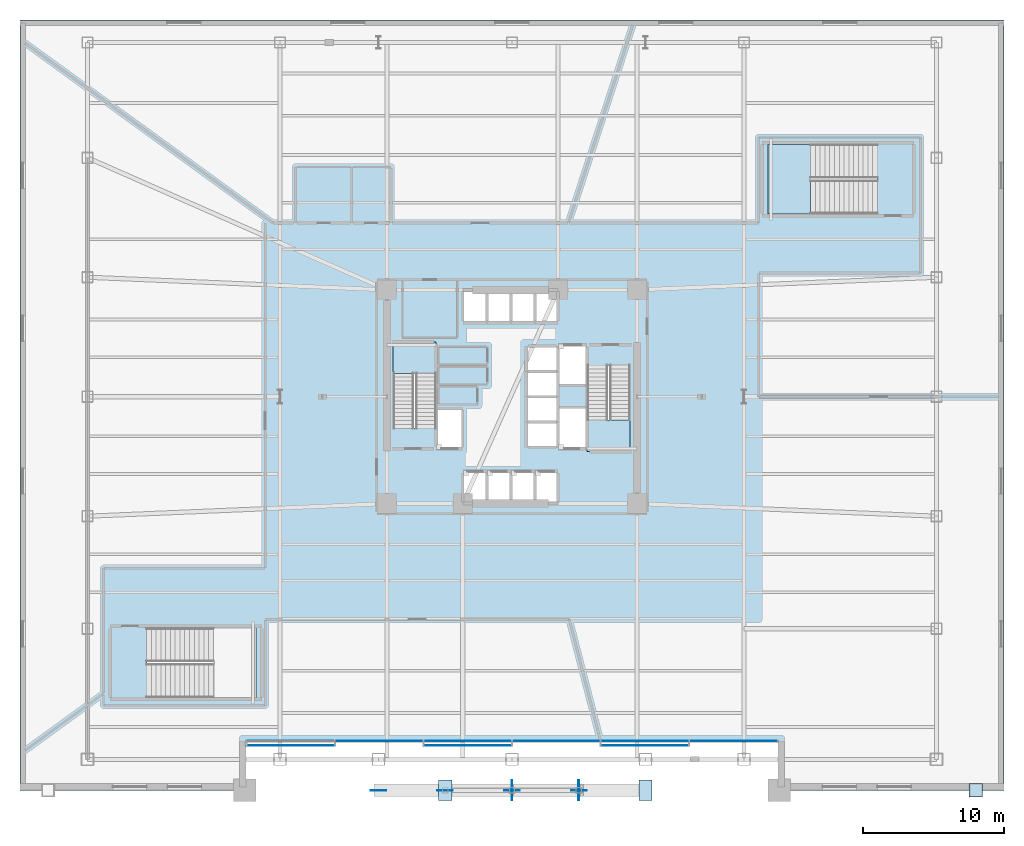
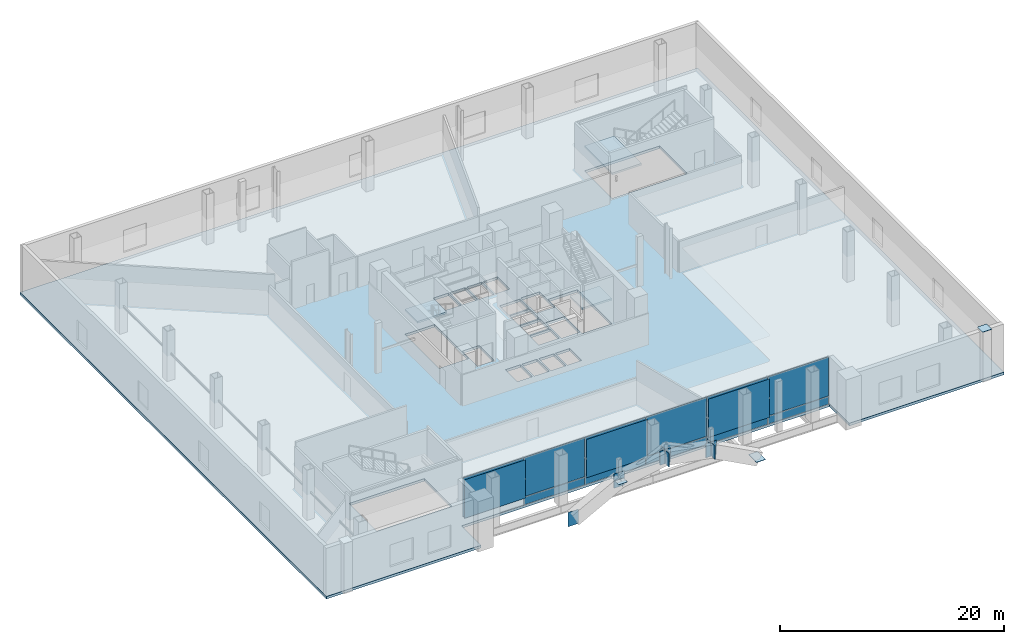
# One storey, part 6 of 19: 23 plates, 4 slabs, 4 elements without a shape of their own.
"""IFC4 building model written with IfcOpenShell, lengths in metres."""

import ifcopenshell
import ifcopenshell.guid

model = None  # the IFC model being written
_history = None  # IfcOwnerHistory: only IFC2X3 demands one
_inside = {}  # id of a spatial element -> (the spatial element, [elements in it])
_under = {}  # id of a project, library or spatial element -> (it, [spatial elements below it])
_declared = {}  # id of a project -> (the project, [libraries it declares])
_typed = {}  # id of a type object -> (the type object, [elements of that type])
_made_of = {}  # id of a material, layer set ... -> (it, [elements and type objects made of it])


def new_model(schema):
    """Start an empty IFC model of exactly this schema.

    Asked for "IFC4X3", IfcOpenShell would pick the latest addendum, in which some entities
    have other attributes; the version numbers below select the first issue.
    IFC2X3 requires an IfcOwnerHistory on every rooted entity: one is made here for all.
    """
    global model, _history
    if schema == "IFC4X3":
        model = ifcopenshell.file(schema_version=(4, 3, 0, 0))
    else:
        model = ifcopenshell.file(schema=schema)
    _inside.clear()
    _under.clear()
    _declared.clear()
    _typed.clear()
    _made_of.clear()
    _history = None
    if model.schema == "IFC2X3":
        org = make("IfcOrganization", Name="unknown")
        user = make(
            "IfcPersonAndOrganization",
            ThePerson=make("IfcPerson", FamilyName="unknown"),
            TheOrganization=org,
        )
        app = make(
            "IfcApplication",
            ApplicationDeveloper=org,
            Version="unknown",
            ApplicationFullName="unknown",
            ApplicationIdentifier="unknown",
        )
        _history = make(
            "IfcOwnerHistory",
            OwningUser=user,
            OwningApplication=app,
            ChangeAction="ADDED",
            CreationDate=0,
        )
    return model


def make(cls, **values):
    """One entity of the class cls with the attributes given. An attribute that is None is left unset."""
    return model.create_entity(
        cls, **{name: value for name, value in values.items() if value is not None}
    )


def rooted(cls, **values):
    """An entity with a GlobalId (a new one), such as an element, a storey or a relation."""
    return make(cls, GlobalId=ifcopenshell.guid.new(), OwnerHistory=_history, **values)


def si_unit(unit_type, name, prefix=None):
    """IfcSIUnit, for example si_unit("LENGTHUNIT", "METRE", prefix="MILLI")."""
    return make("IfcSIUnit", UnitType=unit_type, Prefix=prefix, Name=name)


def assignment(units):
    """IfcUnitAssignment: the units of a project."""
    return None if units is None else make("IfcUnitAssignment", Units=units)


def point(xyz):
    """IfcCartesianPoint."""
    return None if xyz is None else make("IfcCartesianPoint", Coordinates=xyz)


def direction(xyz):
    """IfcDirection."""
    return None if xyz is None else make("IfcDirection", DirectionRatios=xyz)


def frame(location, z_axis=None, x_axis=None):
    """IfcAxis2Placement3D, a coordinate frame: its origin and axes. An axis left out is left unset."""
    return make(
        "IfcAxis2Placement3D",
        Location=point(location),
        Axis=direction(z_axis),
        RefDirection=direction(x_axis),
    )


def frame_2d(location, x_axis=None):
    """IfcAxis2Placement2D, a coordinate frame in the plane: its origin and x axis."""
    return make(
        "IfcAxis2Placement2D", Location=point(location), RefDirection=direction(x_axis)
    )


def origin():
    """The frame at (0, 0, 0) with its axes left unset."""
    return frame((0.0, 0.0, 0.0))


def origin_2d():
    """The frame at (0, 0) in the plane with its x axis left unset."""
    return frame_2d((0.0, 0.0))


def place(relative_to, where):
    """IfcLocalPlacement: puts the frame where relative to a parent placement (None: the world)."""
    return make(
        "IfcLocalPlacement", PlacementRelTo=relative_to, RelativePlacement=where
    )


def context(
    kind, dimensions, precision=None, world=None, true_north=None, identifier=None
):
    """IfcGeometricRepresentationContext, for example the 3D "Model" context."""
    return make(
        "IfcGeometricRepresentationContext",
        ContextIdentifier=identifier,
        ContextType=kind,
        CoordinateSpaceDimension=dimensions,
        Precision=precision,
        WorldCoordinateSystem=world,
        TrueNorth=true_north,
    )


def subcontext(parent, identifier, kind, view, scale=None):
    """IfcGeometricRepresentationSubContext, for example "Body" below "Model"."""
    return make(
        "IfcGeometricRepresentationSubContext",
        ContextIdentifier=identifier,
        ContextType=kind,
        ParentContext=parent,
        TargetScale=scale,
        TargetView=view,
    )


def project(units=None, contexts=None):
    """IfcProject with its units and contexts."""
    return rooted(
        "IfcProject",
        Name="project",
        RepresentationContexts=contexts,
        UnitsInContext=assignment(units),
    )


def spatial(cls, under=None, at=None, **own):
    """A site, building, storey or space (cls), placed at a placement, below another one or the project."""
    s = rooted(cls, ObjectPlacement=at, **own)
    if under is not None:
        _under.setdefault(under.id(), (under, []))[1].append(s)
    return s


def polyline(points):
    """IfcPolyline through the points."""
    return make("IfcPolyline", Points=[point(p) for p in points])


def profile(cls, at=None, kind="AREA", **sizes):
    """A parametric profile (cls). Its sizes go by their IFC names, for example OverallWidth=200.0."""
    return make(cls, ProfileType=kind, Position=at, **sizes)


def rectangle(**sizes):
    """IfcRectangleProfileDef."""
    return profile("IfcRectangleProfileDef", **sizes)


def outline(outer, holes=None, kind="AREA"):
    """IfcArbitraryClosedProfileDef: a profile drawn as a closed curve; with holes, ...WithVoids."""
    if holes is None:
        return make("IfcArbitraryClosedProfileDef", ProfileType=kind, OuterCurve=outer)
    return make(
        "IfcArbitraryProfileDefWithVoids",
        ProfileType=kind,
        OuterCurve=outer,
        InnerCurves=holes,
    )


def extrude(swept, where, along, depth):
    """IfcExtrudedAreaSolid: the profile swept, set in the frame where, extruded along a direction by depth."""
    return make(
        "IfcExtrudedAreaSolid",
        SweptArea=swept,
        Position=where,
        ExtrudedDirection=direction(along),
        Depth=depth,
    )


def shape(context_of_items, identifier, shape_type, items):
    """IfcShapeRepresentation: the items that make up one representation, for example the "Body"."""
    return make(
        "IfcShapeRepresentation",
        ContextOfItems=context_of_items,
        RepresentationIdentifier=identifier,
        RepresentationType=shape_type,
        Items=items,
    )


def material(Name=None, Category=None):
    """IfcMaterial."""
    return make("IfcMaterial", Name=Name, Category=Category)


def layer(
    of_material, thickness, ventilated=None, Name=None, Category=None, Priority=None
):
    """IfcMaterialLayer: one layer of a wall or slab, of a material (None: an air gap)."""
    return make(
        "IfcMaterialLayer",
        Material=of_material,
        LayerThickness=thickness,
        IsVentilated=ventilated,
        Name=Name,
        Category=Category,
        Priority=Priority,
    )


def layer_set(layers, Name=None):
    """IfcMaterialLayerSet."""
    return make("IfcMaterialLayerSet", MaterialLayers=layers, LayerSetName=Name)


def made_of(thing, what):
    """Note that an element or type object is made of a material, layer set ...; save() writes the relation."""
    if what is not None:
        _made_of.setdefault(what.id(), (what, []))[1].append(thing)
    return thing


def type_object(cls, material=None, **own):
    """A type object (cls), such as IfcWallType, which elements share."""
    return made_of(rooted(cls, **own), material)


def element(
    cls,
    number,
    at=None,
    inside=None,
    cuts=None,
    type_object=None,
    material=None,
    context=None,
    identifier="Body",
    shape_type=None,
    held_by="IfcProductDefinitionShape",
    body=None,
    shapes=None,
    **own,
):
    """One element of the class cls, such as IfcWall. Its Tag is "e" and its number.

    at: its placement. inside: the storey or other place that contains it. cuts: it is an
    opening in that element (IfcRelVoidsElement). A single representation is given by context,
    identifier, shape_type and body (its items); several are given by shapes. held_by: the class
    of the entity that holds the representations. save() writes the other relations.
    """
    e = rooted(cls, Tag="e%d" % number, ObjectPlacement=at, **own)
    if body is not None:
        shapes = [shape(context, identifier, shape_type, body)]
    if shapes is not None:
        e.Representation = make(held_by, Representations=shapes)
    if inside is not None:
        _inside.setdefault(inside.id(), (inside, []))[1].append(e)
    if cuts is not None:
        rooted(
            "IfcRelVoidsElement", RelatingBuildingElement=cuts, RelatedOpeningElement=e
        )
    if type_object is not None:
        _typed.setdefault(type_object.id(), (type_object, []))[1].append(e)
    return made_of(e, material)


def aggregate(whole, parts):
    """IfcRelAggregates: a whole, such as a stair, and the parts it consists of."""
    return rooted("IfcRelAggregates", RelatingObject=whole, RelatedObjects=parts)


def save(model, path):
    """Write the relations noted so far, then the file.

    IfcRelAggregates (storeys below a building ...), IfcRelContainedInSpatialStructure (elements
    in a storey), IfcRelDefinesByType, IfcRelAssociatesMaterial and IfcRelDeclares: one each for
    every whole, place, type object, material and project.
    """
    for whole, parts in _under.values():
        aggregate(whole, parts)
    for where, things in _inside.values():
        rooted(
            "IfcRelContainedInSpatialStructure",
            RelatedElements=things,
            RelatingStructure=where,
        )
    for kind, things in _typed.values():
        rooted("IfcRelDefinesByType", RelatedObjects=things, RelatingType=kind)
    for what, things in _made_of.values():
        rooted("IfcRelAssociatesMaterial", RelatedObjects=things, RelatingMaterial=what)
    for by, libraries in _declared.values():
        rooted("IfcRelDeclares", RelatingContext=by, RelatedDefinitions=libraries)
    model.write(path)


model = new_model("IFC4")

# Units and contexts
model_context = context("Model", 3, precision=1e-05, world=origin(), true_north=direction((0.0, 1.0)))
body_context = subcontext(model_context, "Body", "Model", "MODEL_VIEW")
ifc_project = project(units=[si_unit("LENGTHUNIT", "METRE"), si_unit("AREAUNIT", "SQUARE_METRE"), si_unit("VOLUMEUNIT", "CUBIC_METRE"), si_unit("PLANEANGLEUNIT", "RADIAN"), si_unit("MASSUNIT", "GRAM", prefix="KILO")], contexts=[model_context])

# Site, building, storey
site_placement = place(None, origin())
site = spatial("IfcSite", under=ifc_project, at=site_placement, CompositionType="ELEMENT")
building_placement = place(site_placement, origin())
building = spatial("IfcBuilding", under=site, at=building_placement, Name="Tharavind Bronze Gate", CompositionType="ELEMENT")
storey_placement = place(building_placement, frame((0.0, 0.0, 11.0)))
storey = spatial("IfcBuildingStorey", under=building, at=storey_placement, Name="L02", CompositionType="ELEMENT", Elevation=11.0)

# Plates
ifc_material_1 = material(Name="Perforated Bronze Alloy", Category="bronze")
ifc_layer_1 = layer(ifc_material_1, 0.011962890625)
ifc_layer_set_1 = layer_set([ifc_layer_1], Name="Perforated Bronze Alloy")
plate_type_1 = type_object("IfcPlateType", Name="BRONZE PERFORATED SOLAR SCREEN", PredefinedType="USERDEFINED", material=ifc_layer_set_1)
for number, where, z_axis, x_axis, name in (
    (1, (-15.75, -24.81494140625, 0.97412109375), (0.0, 0.0, 1.0), (1.0, 0.0, 0.0), "CW-L02-ARCH perforated bronze solar screen 1"),
    (2, (-3.14990234375, -24.81494140625, 0.97412109375), (0.0, 0.0, 1.0), (1.0, 0.0, 0.0), "CW-L02-ARCH perforated bronze solar screen 3"),
    (3, (9.449951171875, -24.81494140625, 0.97412109375), (0.0, 0.0, 1.0), (1.0, 0.0, 0.0), "CW-L02-ARCH perforated bronze solar screen 5"),
):
    element("IfcPlate", number, at=place(storey_placement, frame(where, z_axis=z_axis, x_axis=x_axis)), inside=storey, type_object=plate_type_1, Name=name, ObjectType="SCREEN", PredefinedType="USERDEFINED", context=body_context, shape_type="SweptSolid", body=[
        extrude(rectangle(XDim=6.280029296875, YDim=0.011962890625, at=origin_2d()), origin(), (0.0, 0.0, 1.0), 4.19189453125),
    ])

# Curtain wall, plates
ifc_material_2 = material(Name="Anodised Bronze Aluminium", Category="aluminium")
ifc_layer_2 = layer(ifc_material_2, 0.219970703125)
ifc_layer_set_2 = layer_set([ifc_layer_2], Name="Anodised Bronze Aluminium")
curtain_wall_type = type_object("IfcCurtainWallType", Name="UNITISED CURTAIN WALL PODIUM", PredefinedType="USERDEFINED", material=ifc_layer_set_2)
curtain_wall_placement = place(storey_placement, origin())
curtain_wall = element("IfcCurtainWall", 4, at=curtain_wall_placement, inside=storey, type_object=curtain_wall_type, Name="L02 unitised curtain wall podium CW-L02-ARCH", ObjectType="UNITISED CURTAIN WALL", PredefinedType="USERDEFINED")
ifc_material_3 = material(Name="Patinated Bronze Alloy Sheet", Category="bronze")
ifc_layer_3 = layer(ifc_material_3, 0.01611328125)
ifc_layer_set_3 = layer_set([ifc_layer_3], Name="Patinated Bronze Alloy Sheet")
plate_type_2 = type_object("IfcPlateType", Name="BRONZE SPANDREL CLADDING PANEL 16", PredefinedType="CURTAIN_PANEL", material=ifc_layer_set_3)
plate_1_placement = place(storey_placement, frame((-9.449951171875, -24.5, 0.033935546875), z_axis=(0.0, 0.0, 1.0), x_axis=(1.0, 0.0, 0.0)))
plate_1 = element("IfcPlate", 5, at=plate_1_placement, type_object=plate_type_2, Name="CW-L02-ARCH bronze spandrel panel 2", PredefinedType="CURTAIN_PANEL", context=body_context, shape_type="SweptSolid", body=[
    extrude(rectangle(XDim=6.23193359375, YDim=0.01611328125, at=origin_2d()), origin(), (0.0, 0.0, 1.0), 0.83203125),
])
plate_2_placement = place(storey_placement, frame((-3.14990234375, -24.5, 0.033935546875), z_axis=(0.0, 0.0, 1.0), x_axis=(1.0, 0.0, 0.0)))
plate_2 = element("IfcPlate", 6, at=plate_2_placement, type_object=plate_type_2, Name="CW-L02-ARCH bronze spandrel panel 3", PredefinedType="CURTAIN_PANEL", context=body_context, shape_type="SweptSolid", body=[
    extrude(rectangle(XDim=6.23193359375, YDim=0.01611328125, at=origin_2d()), origin(), (0.0, 0.0, 1.0), 0.83203125),
])
plate_3_placement = place(storey_placement, frame((3.14990234375, -24.5, 0.033935546875), z_axis=(0.0, 0.0, 1.0), x_axis=(1.0, 0.0, 0.0)))
plate_3 = element("IfcPlate", 7, at=plate_3_placement, type_object=plate_type_2, Name="CW-L02-ARCH bronze spandrel panel 4", PredefinedType="CURTAIN_PANEL", context=body_context, shape_type="SweptSolid", body=[
    extrude(rectangle(XDim=6.23193359375, YDim=0.01611328125, at=origin_2d()), origin(), (0.0, 0.0, 1.0), 0.83203125),
])
plate_4_placement = place(storey_placement, frame((9.449951171875, -24.5, 0.033935546875), z_axis=(0.0, 0.0, 1.0), x_axis=(1.0, 0.0, 0.0)))
plate_4 = element("IfcPlate", 8, at=plate_4_placement, type_object=plate_type_2, Name="CW-L02-ARCH bronze spandrel panel 5", PredefinedType="CURTAIN_PANEL", context=body_context, shape_type="SweptSolid", body=[
    extrude(rectangle(XDim=6.23193359375, YDim=0.01611328125, at=origin_2d()), origin(), (0.0, 0.0, 1.0), 0.83203125),
])
plate_5_placement = place(storey_placement, frame((15.75, -24.5, 0.033935546875), z_axis=(0.0, 0.0, 1.0), x_axis=(1.0, 0.0, 0.0)))
plate_5 = element("IfcPlate", 9, at=plate_5_placement, type_object=plate_type_2, Name="CW-L02-ARCH bronze spandrel panel 6", PredefinedType="CURTAIN_PANEL", context=body_context, shape_type="SweptSolid", body=[
    extrude(rectangle(XDim=6.23193359375, YDim=0.01611328125, at=origin_2d()), origin(), (0.0, 0.0, 1.0), 0.83203125),
])
ifc_material_4 = material(Name="Low-E Double Glazing", Category="glass")
ifc_layer_4 = layer(ifc_material_4, 0.031982421875)
ifc_layer_set_4 = layer_set([ifc_layer_4], Name="Low-E Double Glazing")
plate_type_3 = type_object("IfcPlateType", Name="DOUBLE GLAZED FACADE PANEL 32", PredefinedType="CURTAIN_PANEL", material=ifc_layer_set_4)
plate_6_placement = place(storey_placement, frame((-15.75, -24.5, 0.93408203125), z_axis=(0.0, 0.0, 1.0), x_axis=(1.0, 0.0, 0.0)))
plate_6 = element("IfcPlate", 10, at=plate_6_placement, type_object=plate_type_3, Name="CW-L02-ARCH vision glazing panel 1", PredefinedType="CURTAIN_PANEL", context=body_context, shape_type="SweptSolid", body=[
    extrude(rectangle(XDim=6.23193359375, YDim=0.031982421875, at=origin_2d()), origin(), (0.0, 0.0, 1.0), 4.27197265625),
])
plate_7_placement = place(storey_placement, frame((-9.449951171875, -24.5, 0.93408203125), z_axis=(0.0, 0.0, 1.0), x_axis=(1.0, 0.0, 0.0)))
plate_7 = element("IfcPlate", 11, at=plate_7_placement, type_object=plate_type_3, Name="CW-L02-ARCH vision glazing panel 2", PredefinedType="CURTAIN_PANEL", context=body_context, shape_type="SweptSolid", body=[
    extrude(rectangle(XDim=6.23193359375, YDim=0.031982421875, at=origin_2d()), origin(), (0.0, 0.0, 1.0), 4.27197265625),
])
plate_8_placement = place(storey_placement, frame((-3.14990234375, -24.5, 0.93408203125), z_axis=(0.0, 0.0, 1.0), x_axis=(1.0, 0.0, 0.0)))
plate_8 = element("IfcPlate", 12, at=plate_8_placement, type_object=plate_type_3, Name="CW-L02-ARCH vision glazing panel 3", PredefinedType="CURTAIN_PANEL", context=body_context, shape_type="SweptSolid", body=[
    extrude(rectangle(XDim=6.23193359375, YDim=0.031982421875, at=origin_2d()), origin(), (0.0, 0.0, 1.0), 4.27197265625),
])
plate_9_placement = place(storey_placement, frame((3.14990234375, -24.5, 0.93408203125), z_axis=(0.0, 0.0, 1.0), x_axis=(1.0, 0.0, 0.0)))
plate_9 = element("IfcPlate", 13, at=plate_9_placement, type_object=plate_type_3, Name="CW-L02-ARCH vision glazing panel 4", PredefinedType="CURTAIN_PANEL", context=body_context, shape_type="SweptSolid", body=[
    extrude(rectangle(XDim=6.23193359375, YDim=0.031982421875, at=origin_2d()), origin(), (0.0, 0.0, 1.0), 4.27197265625),
])
plate_10_placement = place(storey_placement, frame((9.449951171875, -24.5, 0.93408203125), z_axis=(0.0, 0.0, 1.0), x_axis=(1.0, 0.0, 0.0)))
plate_10 = element("IfcPlate", 14, at=plate_10_placement, type_object=plate_type_3, Name="CW-L02-ARCH vision glazing panel 5", PredefinedType="CURTAIN_PANEL", context=body_context, shape_type="SweptSolid", body=[
    extrude(rectangle(XDim=6.23193359375, YDim=0.031982421875, at=origin_2d()), origin(), (0.0, 0.0, 1.0), 4.27197265625),
])
plate_11_placement = place(storey_placement, frame((15.75, -24.5, 0.93408203125), z_axis=(0.0, 0.0, 1.0), x_axis=(1.0, 0.0, 0.0)))
plate_11 = element("IfcPlate", 15, at=plate_11_placement, type_object=plate_type_3, Name="CW-L02-ARCH vision glazing panel 6", PredefinedType="CURTAIN_PANEL", context=body_context, shape_type="SweptSolid", body=[
    extrude(rectangle(XDim=6.23193359375, YDim=0.031982421875, at=origin_2d()), origin(), (0.0, 0.0, 1.0), 4.27197265625),
])
aggregate(curtain_wall, [plate_6, plate_1, plate_7, plate_2, plate_8, plate_3, plate_9, plate_4, plate_10, plate_5, plate_11])

# Stair, slab
ifc_material_5 = material(Name="Concrete C40/50", Category="concrete")
stair_type_1 = type_object("IfcStairType", Name="CORE HALF TURN STAIR 1450", PredefinedType="HALF_TURN_STAIR", material=ifc_material_5)
stair_1_placement = place(storey_placement, origin())
stair_1 = element("IfcStair", 16, at=stair_1_placement, inside=storey, type_object=stair_type_1, Name="L02 Protected Exit Stair ST1", PredefinedType="HALF_TURN_STAIR")
ifc_layer_5 = layer(ifc_material_5, 0.199951171875)
ifc_layer_set_5 = layer_set([ifc_layer_5], Name="Concrete C40/50")
slab_type_1 = type_object("IfcSlabType", Name="STAIR LANDING SLAB 200", PredefinedType="LANDING", material=ifc_layer_set_5)
slab_1_placement = place(storey_placement, frame((0.0, 0.0, 2.550048828125)))
slab_1 = element("IfcSlab", 17, at=slab_1_placement, type_object=slab_type_1, Name="ST1 landing 1", PredefinedType="LANDING", context=body_context, shape_type="SweptSolid", body=[
    extrude(outline(polyline([(-5.39990234375, 1.669921875), (-5.39990234375, 3.89990234375), (-8.449951171875, 3.89990234375), (-8.449951171875, 1.669921875), (-5.39990234375, 1.669921875)])), origin(), (0.0, 0.0, 1.0), 0.199951171875),
])
aggregate(stair_1, [slab_1])

stair_2_placement = place(storey_placement, origin())
stair_2 = element("IfcStair", 18, at=stair_2_placement, inside=storey, type_object=stair_type_1, Name="L02 Protected Exit Stair ST2", PredefinedType="HALF_TURN_STAIR")
slab_2_placement = place(storey_placement, frame((0.0, 0.0, 2.550048828125)))
slab_2 = element("IfcSlab", 19, at=slab_2_placement, type_object=slab_type_1, Name="ST2 landing 1", PredefinedType="LANDING", context=body_context, shape_type="SweptSolid", body=[
    extrude(outline(polyline([(5.35009765625, -1.669921875), (5.35009765625, -3.89990234375), (8.39990234375, -3.89990234375), (8.39990234375, -1.669921875), (5.35009765625, -1.669921875)])), origin(), (0.0, 0.0, 1.0), 0.199951171875),
])
aggregate(stair_2, [slab_2])

stair_type_2 = type_object("IfcStairType", Name="PODIUM HALF TURN STAIR 2400", PredefinedType="HALF_TURN_STAIR", material=ifc_material_5)
stair_3_placement = place(storey_placement, origin())
stair_3 = element("IfcStair", 20, at=stair_3_placement, inside=storey, type_object=stair_type_2, Name="L02 Protected Exit Stair ST4", PredefinedType="HALF_TURN_STAIR")
slab_3_placement = place(storey_placement, frame((0.0, 0.0, 2.550048828125)))
slab_3 = element("IfcSlab", 21, at=slab_3_placement, type_object=slab_type_1, Name="ST4 landing 1", PredefinedType="LANDING", context=body_context, shape_type="SweptSolid", body=[
    extrude(outline(polyline([(21.239990234375, 17.949951171875), (18.199951171875, 17.949951171875), (18.199951171875, 13.0), (21.239990234375, 13.0), (21.239990234375, 17.949951171875)])), origin(), (0.0, 0.0, 1.0), 0.199951171875),
])
aggregate(stair_3, [slab_3])

# Plates
ifc_material_6 = material(Name="Steel S460", Category="steel")
ifc_layer_6 = layer(ifc_material_6, 0.02490234375)
ifc_layer_set_6 = layer_set([ifc_layer_6], Name="Steel S460")
plate_type_4 = type_object("IfcPlateType", Name="STEEL END CAP SHEET 25", PredefinedType="SHEET", material=ifc_layer_set_6)
plate_12_placement = place(storey_placement, frame((33.0, -28.0, 5.487548828125), z_axis=(0.0, 0.0, 1.0), x_axis=(1.0, 0.0, 0.0)))
element("IfcPlate", 22, at=plate_12_placement, inside=storey, type_object=plate_type_4, Name="Steel end cap plate CAP-COL-L02-CRNS4", PredefinedType="SHEET", context=body_context, shape_type="SweptSolid", body=[
    extrude(rectangle(XDim=0.945068359375, YDim=0.945068359375, at=origin_2d()), origin(), (0.0, 0.0, 1.0), 0.02490234375),
])
plate_13_placement = place(storey_placement, frame((-4.75, -28.0, 2.190673828125), z_axis=(0.0, 0.0, 1.0), x_axis=(1.0, 0.0, 0.0)))
element("IfcPlate", 23, at=plate_13_placement, inside=storey, type_object=plate_type_4, Name="Steel end cap plate CAP-ARCH-R3B", PredefinedType="SHEET", context=body_context, shape_type="SweptSolid", body=[
    extrude(rectangle(XDim=0.945068359375, YDim=1.445068359375, at=origin_2d()), origin(), (0.0, 0.0, 1.0), 0.02490234375),
])
for number, where, z_axis, x_axis, name in (
    (24, (0.0, -28.0, 2.32763671875), (0.0, 0.0, 1.0), (1.0, 0.0, 0.0), "Steel end cap plate CAP-ARCH-R4B"),
    (25, (4.75, -28.0, 1.48046875), (0.0, 0.0, 1.0), (1.0, 0.0, 0.0), "Steel end cap plate CAP-ARCH-R5B"),
):
    element("IfcPlate", number, at=place(storey_placement, frame(where, z_axis=z_axis, x_axis=x_axis)), inside=storey, type_object=plate_type_4, Name=name, PredefinedType="SHEET", context=body_context, shape_type="SweptSolid", body=[
        extrude(rectangle(XDim=0.0400390625, YDim=1.445068359375, at=origin_2d()), origin(), (0.0, 0.0, 1.0), 1.445068359375),
    ])
plate_14_placement = place(storey_placement, frame((9.5, -28.0, -0.349853515625), z_axis=(0.0, 0.0, 1.0), x_axis=(1.0, 0.0, 0.0)))
element("IfcPlate", 26, at=plate_14_placement, inside=storey, type_object=plate_type_4, Name="Steel end cap plate CAP-ARCH-R6B", PredefinedType="SHEET", context=body_context, shape_type="SweptSolid", body=[
    extrude(rectangle(XDim=0.945068359375, YDim=1.445068359375, at=origin_2d()), origin(), (0.0, 0.0, 1.0), 0.02490234375),
])
ifc_layer_7 = layer(ifc_material_6, 0.035888671875)
ifc_layer_set_7 = layer_set([ifc_layer_7], Name="Steel S460")
plate_type_5 = type_object("IfcPlateType", Name="STEEL NODE GUSSET PLATE 36", PredefinedType="USERDEFINED", material=ifc_layer_set_7)
for number, where, z_axis, x_axis, name in (
    (27, (-9.5, -28.0, -1.1123046875), (0.0, 0.0, 1.0), (1.0, 0.0, 0.0), "Node N2 arch rib gusset plate"),
    (28, (-4.75, -28.0, 1.42822265625), (0.0, 0.0, 1.0), (1.0, 0.0, 0.0), "Node N3 arch rib gusset plate"),
    (29, (0.0, -28.0, 2.27490234375), (0.0, 0.0, 1.0), (1.0, 0.0, 0.0), "Node N4 arch rib gusset plate"),
    (30, (4.75, -28.0, 1.42822265625), (0.0, 0.0, 1.0), (1.0, 0.0, 0.0), "Node N5 arch rib gusset plate"),
):
    element("IfcPlate", number, at=place(storey_placement, frame(where, z_axis=z_axis, x_axis=x_axis)), inside=storey, type_object=plate_type_5, Name=name, ObjectType="GUSSET PLATE", PredefinedType="USERDEFINED", context=body_context, shape_type="SweptSolid", body=[
        extrude(rectangle(XDim=1.10009765625, YDim=0.035888671875, at=origin_2d()), origin(), (0.0, 0.0, 1.0), 1.550048828125),
    ])

# Slab
ifc_layer_8 = layer(ifc_material_5, 0.280029296875)
ifc_layer_set_8 = layer_set([ifc_layer_8], Name="Concrete C40/50")
slab_type_2 = type_object("IfcSlabType", Name="STRUCTURAL FLOOR SLAB 280", PredefinedType="FLOOR", material=ifc_layer_set_8)
slab_4_placement = place(storey_placement, frame((0.0, 0.0, -0.280029296875)))
element("IfcSlab", 31, at=slab_4_placement, inside=storey, type_object=slab_type_2, Name="L02 main structural floor slab", PredefinedType="FLOOR", context=body_context, shape_type="SweptSolid", body=[
    extrude(outline(polyline([(-35.0, -28.0), (-19.0, -28.0), (-19.0, -24.5), (19.0, -24.5), (19.0, -28.0), (35.0, -28.0), (35.0, 26.800048828125), (-35.0, 26.800048828125), (-35.0, -28.0)]), holes=[polyline([(-5.39990234375, -2.215087890625), (-5.39990234375, 3.89990234375), (-8.449951171875, 3.89990234375), (-8.449951171875, -2.215087890625), (-5.39990234375, -2.215087890625)]), polyline([(5.35009765625, 2.215087890625), (5.35009765625, -3.89990234375), (8.39990234375, -3.89990234375), (8.39990234375, 2.215087890625), (5.35009765625, 2.215087890625)]), polyline([(-25.965087890625, -21.39990234375), (-18.199951171875, -21.39990234375), (-18.199951171875, -16.449951171875), (-25.965087890625, -16.449951171875), (-25.965087890625, -21.39990234375)]), polyline([(25.965087890625, 17.949951171875), (18.199951171875, 17.949951171875), (18.199951171875, 13.0), (25.965087890625, 13.0), (25.965087890625, 17.949951171875)]), polyline([(-3.419921875, -7.52001953125), (-1.867431640625, -7.52001953125), (-1.867431640625, -5.3798828125), (-3.419921875, -5.3798828125), (-3.419921875, -7.52001953125)]), polyline([(-1.70751953125, -7.52001953125), (-0.155029296875, -7.52001953125), (-0.155029296875, -5.3798828125), (-1.70751953125, -5.3798828125), (-1.70751953125, -7.52001953125)]), polyline([(0.0048828125, -7.52001953125), (1.5576171875, -7.52001953125), (1.5576171875, -5.3798828125), (0.0048828125, -5.3798828125), (0.0048828125, -7.52001953125)]), polyline([(1.717529296875, -7.52001953125), (3.199951171875, -7.52001953125), (3.199951171875, -5.3798828125), (1.717529296875, -5.3798828125), (1.717529296875, -7.52001953125)]), polyline([(-3.419921875, 5.330078125), (-1.867431640625, 5.330078125), (-1.867431640625, 7.52001953125), (-3.419921875, 7.52001953125), (-3.419921875, 5.330078125)]), polyline([(-1.70751953125, 5.330078125), (-0.155029296875, 5.330078125), (-0.155029296875, 7.52001953125), (-1.70751953125, 7.52001953125), (-1.70751953125, 5.330078125)]), polyline([(0.0048828125, 5.330078125), (1.5576171875, 5.330078125), (1.5576171875, 7.52001953125), (0.0048828125, 7.52001953125), (0.0048828125, 5.330078125)]), polyline([(1.717529296875, 5.330078125), (3.199951171875, 5.330078125), (3.199951171875, 7.52001953125), (1.717529296875, 7.52001953125), (1.717529296875, 5.330078125)]), polyline([(1.080078125, -3.52001953125), (3.199951171875, -3.52001953125), (3.199951171875, -1.8798828125), (1.080078125, -1.8798828125), (1.080078125, -3.52001953125)]), polyline([(1.080078125, -1.719970703125), (3.199951171875, -1.719970703125), (3.199951171875, -0.080078125), (1.080078125, -0.080078125), (1.080078125, -1.719970703125)]), polyline([(1.080078125, 0.080078125), (3.199951171875, 0.080078125), (3.199951171875, 1.719970703125), (1.080078125, 1.719970703125), (1.080078125, 0.080078125)]), polyline([(1.080078125, 1.8798828125), (3.199951171875, 1.8798828125), (3.199951171875, 3.52001953125), (1.080078125, 3.52001953125), (1.080078125, 1.8798828125)]), polyline([(-5.320068359375, -3.6201171875), (-3.580078125, -3.6201171875), (-3.580078125, -0.929931640625), (-5.320068359375, -0.929931640625), (-5.320068359375, -3.6201171875)]), polyline([(3.360107421875, 0.8798828125), (5.27001953125, 0.8798828125), (5.27001953125, 3.6201171875), (3.360107421875, 3.6201171875), (3.360107421875, 0.8798828125)]), polyline([(3.360107421875, -3.6201171875), (5.27001953125, -3.6201171875), (5.27001953125, -0.830078125), (3.360107421875, -0.830078125), (3.360107421875, -3.6201171875)])]), origin(), (0.0, 0.0, 1.0), 0.280029296875),
])

save(model, "model.ifc")
